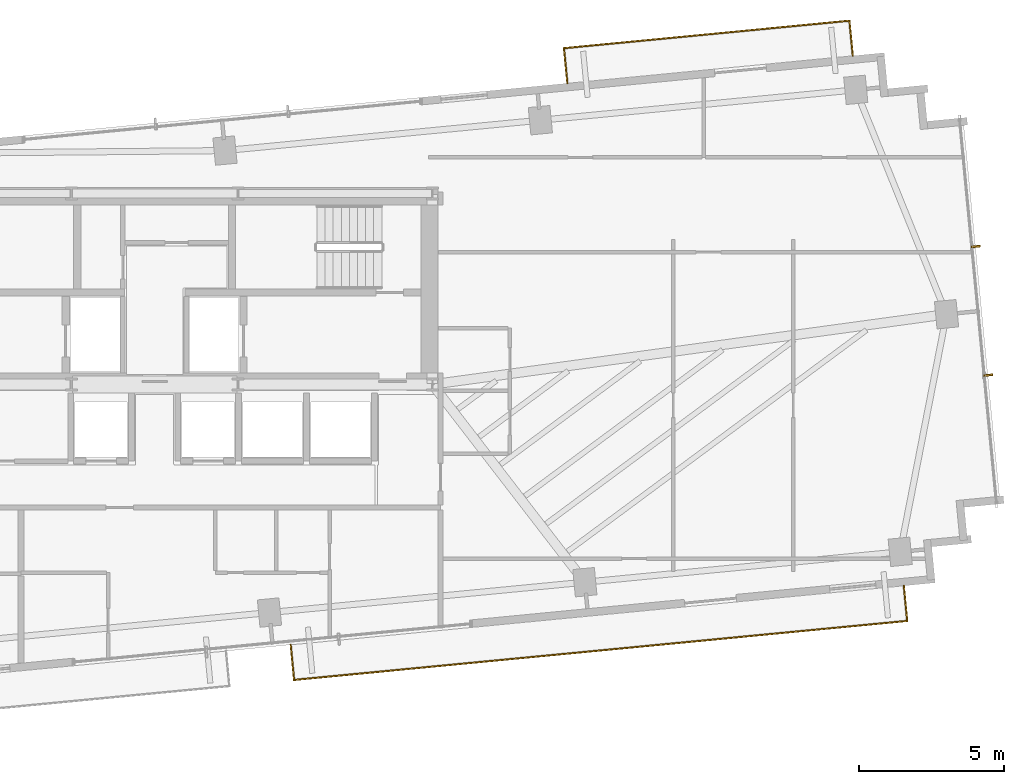
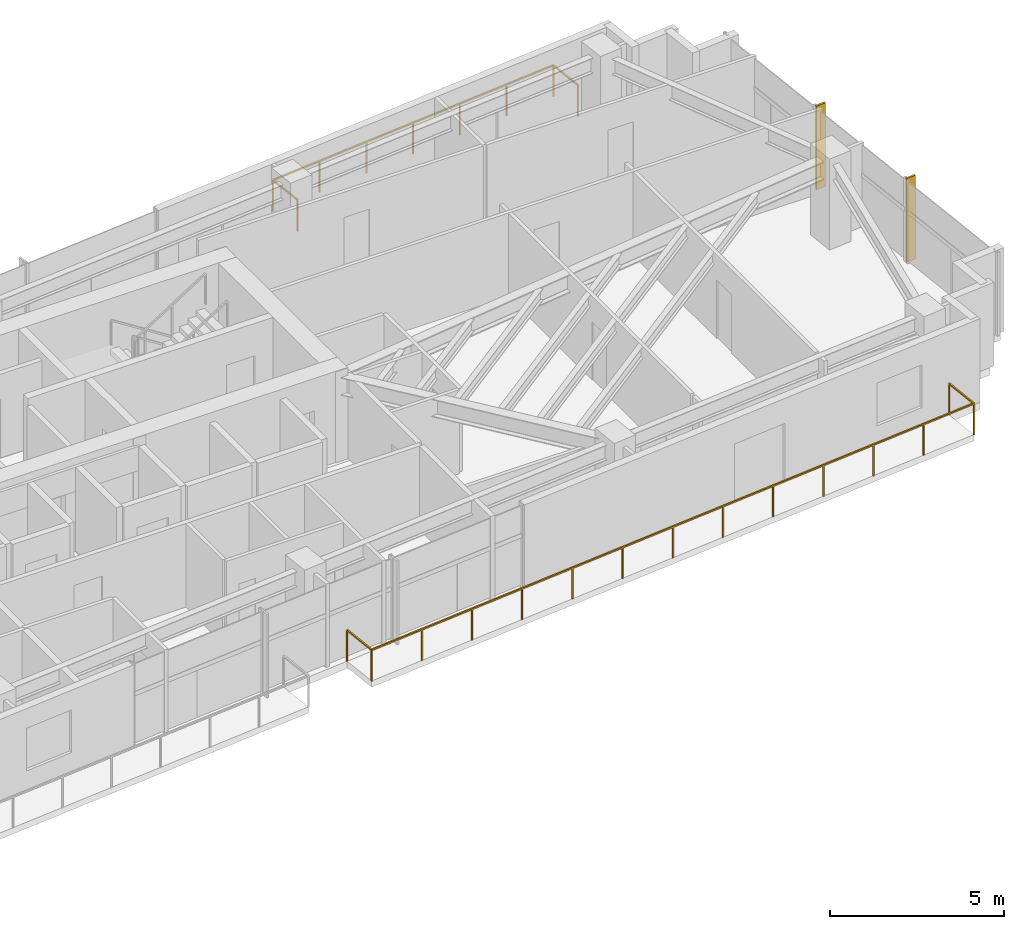
# One storey, part 18 of 18: 2 railings, 2 shading devices.
"""IFC4 building model written with IfcOpenShell, lengths in metres."""

from ifc_helpers import new_model, si_unit, direction, frame, origin, origin_2d, place, context, subcontext, project, spatial, rectangle, extrude, source, transform, mapped, material, type_object, type_shapes, element, save


model = new_model("IFC4")

# Units and contexts
model_context = context("Model", 3, precision=1e-05, world=origin(), true_north=direction((0.0, 1.0)))
body_context = subcontext(model_context, "Body", "Model", "MODEL_VIEW")
ifc_project = project(units=[si_unit("LENGTHUNIT", "METRE"), si_unit("AREAUNIT", "SQUARE_METRE"), si_unit("VOLUMEUNIT", "CUBIC_METRE"), si_unit("PLANEANGLEUNIT", "RADIAN"), si_unit("MASSUNIT", "GRAM", prefix="KILO")], contexts=[model_context])

# Site, building, storey
site_placement = place(None, origin())
site = spatial("IfcSite", under=ifc_project, at=site_placement, CompositionType="ELEMENT")
building_placement = place(site_placement, origin())
building = spatial("IfcBuilding", under=site, at=building_placement, Name="Astriad Promenade Condominiums", CompositionType="ELEMENT")
storey_placement = place(building_placement, frame((0.0, 0.0, 173.0)))
storey = spatial("IfcBuildingStorey", under=building, at=storey_placement, Name="L49", CompositionType="ELEMENT", Elevation=173.0)

# Shading devices
ifc_material_1 = material(Name="Anodised aluminium 6063-T6 Black Fin", Category="aluminium")
shading_device_type = type_object("IfcShadingDeviceType", Name="FIN-BLACK-260", PredefinedType="USERDEFINED", material=ifc_material_1)
shared_shape_1 = source(origin(), body_context, "Body", "SweptSolid", [
    extrude(rectangle(XDim=0.06494140625, YDim=0.320068359375, at=origin_2d()), origin(), (0.0, 0.0, 1.0), 2.93994140625),
])
type_shapes(shading_device_type, [shared_shape_1])
for number, where, z_axis, x_axis, name in (
    (1, (64.37841796875, 22.16796875, 0.0), (0.0, 0.0, 1.0), (0.09584575252, -0.995396198367, 0.0), "CW-L49-E-FIN-01"),
    (2, (64.806640625, 17.721923828125, 0.0), (0.0, 0.0, 1.0), (0.09584575252, -0.995396198367, 0.0), "CW-L49-E-FIN-02"),
):
    element("IfcShadingDevice", number, at=place(storey_placement, frame(where, z_axis=z_axis, x_axis=x_axis)), inside=storey, type_object=shading_device_type, Name=name, ObjectType="FIN", PredefinedType="USERDEFINED", context=body_context, shape_type="MappedRepresentation", body=[
        mapped(shared_shape_1, transform((0.0, 0.0, 0.0), scale=1.0)),
    ])

# Railings
ifc_material_2 = material(Name="Laminated Glass and Stainless Steel Balustrade", Category="steel")
railing_type = type_object("IfcRailingType", Name="GRD-BALC-1120", PredefinedType="BALUSTRADE", material=ifc_material_2)
shared_shape_2 = source(origin(), body_context, "Body", "SweptSolid", [
    extrude(rectangle(XDim=0.048095703125, YDim=0.048095703125, at=origin_2d()), frame((0.0, 0.0, 1.09619140625), z_axis=(0.095857307208, -0.99539508571, 0.0), x_axis=(0.99539508571, 0.095857307208, 0.0)), (0.0, 0.0, 1.0), 1.219970703125),
    extrude(rectangle(XDim=0.048095703125, YDim=0.048095703125, at=origin_2d()), frame((0.116943359375, -1.21435546875, 1.09619140625), z_axis=(0.995396539351, 0.095842211205, 0.0), x_axis=(-0.095842211205, 0.995396539351, 0.0)), (0.0, 0.0, 1.0), 21.287841796875),
    extrude(rectangle(XDim=0.048095703125, YDim=0.048095703125, at=origin_2d()), frame((21.306884765625, 0.825927734375, 1.09619140625), z_axis=(-0.095857307208, 0.99539508571, 0.0), x_axis=(-0.99539508571, -0.095857307208, 0.0)), (0.0, 0.0, 1.0), 1.219970703125),
    extrude(rectangle(XDim=0.0419921875, YDim=0.0419921875, at=origin_2d()), origin(), (0.0, 0.0, 1.0), 1.072021484375),
    extrude(rectangle(XDim=0.0419921875, YDim=0.0419921875, at=origin_2d()), frame((0.116943359375, -1.21435546875, 0.0)), (0.0, 0.0, 1.0), 1.072021484375),
    extrude(rectangle(XDim=0.0419921875, YDim=0.0419921875, at=origin_2d()), frame((1.8828125, -1.04443359375, 0.0)), (0.0, 0.0, 1.0), 1.072021484375),
    extrude(rectangle(XDim=0.0419921875, YDim=0.0419921875, at=origin_2d()), frame((3.648681640625, -0.874267578125, 0.0)), (0.0, 0.0, 1.0), 1.072021484375),
    extrude(rectangle(XDim=0.0419921875, YDim=0.0419921875, at=origin_2d()), frame((5.41455078125, -0.704345703125, 0.0)), (0.0, 0.0, 1.0), 1.072021484375),
    extrude(rectangle(XDim=0.0419921875, YDim=0.0419921875, at=origin_2d()), frame((7.18017578125, -0.5341796875, 0.0)), (0.0, 0.0, 1.0), 1.072021484375),
    extrude(rectangle(XDim=0.0419921875, YDim=0.0419921875, at=origin_2d()), frame((8.946044921875, -0.3642578125, 0.0)), (0.0, 0.0, 1.0), 1.072021484375),
    extrude(rectangle(XDim=0.0419921875, YDim=0.0419921875, at=origin_2d()), frame((10.7119140625, -0.1943359375, 0.0)), (0.0, 0.0, 1.0), 1.072021484375),
    extrude(rectangle(XDim=0.0419921875, YDim=0.0419921875, at=origin_2d()), frame((12.477783203125, -0.024169921875, 0.0)), (0.0, 0.0, 1.0), 1.072021484375),
    extrude(rectangle(XDim=0.0419921875, YDim=0.0419921875, at=origin_2d()), frame((14.24365234375, 0.145751953125, 0.0)), (0.0, 0.0, 1.0), 1.072021484375),
    extrude(rectangle(XDim=0.0419921875, YDim=0.0419921875, at=origin_2d()), frame((16.00927734375, 0.31591796875, 0.0)), (0.0, 0.0, 1.0), 1.072021484375),
    extrude(rectangle(XDim=0.0419921875, YDim=0.0419921875, at=origin_2d()), frame((17.775146484375, 0.48583984375, 0.0)), (0.0, 0.0, 1.0), 1.072021484375),
    extrude(rectangle(XDim=0.0419921875, YDim=0.0419921875, at=origin_2d()), frame((19.541015625, 0.656005859375, 0.0)), (0.0, 0.0, 1.0), 1.072021484375),
    extrude(rectangle(XDim=0.0419921875, YDim=0.0419921875, at=origin_2d()), frame((21.306884765625, 0.825927734375, 0.0)), (0.0, 0.0, 1.0), 1.072021484375),
    extrude(rectangle(XDim=0.0419921875, YDim=0.0419921875, at=origin_2d()), frame((21.18994140625, 2.040283203125, 0.0)), (0.0, 0.0, 1.0), 1.072021484375),
])
railing_1_placement = place(storey_placement, frame((40.701904296875, 8.402099609375, 0.0)))
element("IfcRailing", 3, at=railing_1_placement, inside=storey, type_object=railing_type, Name="GRD-BALC-L49-SE", PredefinedType="BALUSTRADE", context=body_context, shape_type="MappedRepresentation", body=[
    mapped(shared_shape_2, transform((0.0, 0.0, 0.0), scale=1.0)),
])
shared_shape_3 = source(origin(), body_context, "Body", "SweptSolid", [
    extrude(rectangle(XDim=0.048095703125, YDim=0.048095703125, at=origin_2d()), frame((0.0, 0.0, 1.09619140625), z_axis=(-0.095857307208, 0.99539508571, 0.0), x_axis=(-0.99539508571, -0.095857307208, 0.0)), (0.0, 0.0, 1.0), 1.219970703125),
    extrude(rectangle(XDim=0.048095703125, YDim=0.048095703125, at=origin_2d()), frame((-0.116943359375, 1.21435546875, 1.09619140625), z_axis=(-0.99539606711, -0.09584711567, 0.0), x_axis=(0.09584711567, -0.99539606711, 0.0)), (0.0, 0.0, 1.0), 9.9111328125),
    extrude(rectangle(XDim=0.048095703125, YDim=0.048095703125, at=origin_2d()), frame((-9.982421875, 0.264404296875, 1.09619140625), z_axis=(0.095857307208, -0.99539508571, 0.0), x_axis=(0.99539508571, 0.095857307208, 0.0)), (0.0, 0.0, 1.0), 1.219970703125),
    extrude(rectangle(XDim=0.0419921875, YDim=0.0419921875, at=origin_2d()), origin(), (0.0, 0.0, 1.0), 1.072021484375),
    extrude(rectangle(XDim=0.0419921875, YDim=0.0419921875, at=origin_2d()), frame((-0.116943359375, 1.21435546875, 0.0)), (0.0, 0.0, 1.0), 1.072021484375),
    extrude(rectangle(XDim=0.0419921875, YDim=0.0419921875, at=origin_2d()), frame((-1.76123046875, 1.05615234375, 0.0)), (0.0, 0.0, 1.0), 1.072021484375),
    extrude(rectangle(XDim=0.0419921875, YDim=0.0419921875, at=origin_2d()), frame((-3.405517578125, 0.897705078125, 0.0)), (0.0, 0.0, 1.0), 1.072021484375),
    extrude(rectangle(XDim=0.0419921875, YDim=0.0419921875, at=origin_2d()), frame((-5.0498046875, 0.7392578125, 0.0)), (0.0, 0.0, 1.0), 1.072021484375),
    extrude(rectangle(XDim=0.0419921875, YDim=0.0419921875, at=origin_2d()), frame((-6.69384765625, 0.5810546875, 0.0)), (0.0, 0.0, 1.0), 1.072021484375),
    extrude(rectangle(XDim=0.0419921875, YDim=0.0419921875, at=origin_2d()), frame((-8.338134765625, 0.4228515625, 0.0)), (0.0, 0.0, 1.0), 1.072021484375),
    extrude(rectangle(XDim=0.0419921875, YDim=0.0419921875, at=origin_2d()), frame((-9.982421875, 0.264404296875, 0.0)), (0.0, 0.0, 1.0), 1.072021484375),
    extrude(rectangle(XDim=0.0419921875, YDim=0.0419921875, at=origin_2d()), frame((-9.865478515625, -0.949951171875, 0.0)), (0.0, 0.0, 1.0), 1.072021484375),
])
type_shapes(railing_type, [shared_shape_2, shared_shape_3])
railing_2_placement = place(storey_placement, frame((60.12841796875, 28.7578125, 0.0)))
element("IfcRailing", 4, at=railing_2_placement, inside=storey, type_object=railing_type, Name="GRD-BALC-L49-NE", PredefinedType="BALUSTRADE", context=body_context, shape_type="MappedRepresentation", body=[
    mapped(shared_shape_3, transform((0.0, 0.0, 0.0), scale=1.0)),
])

save(model, "model.ifc")
